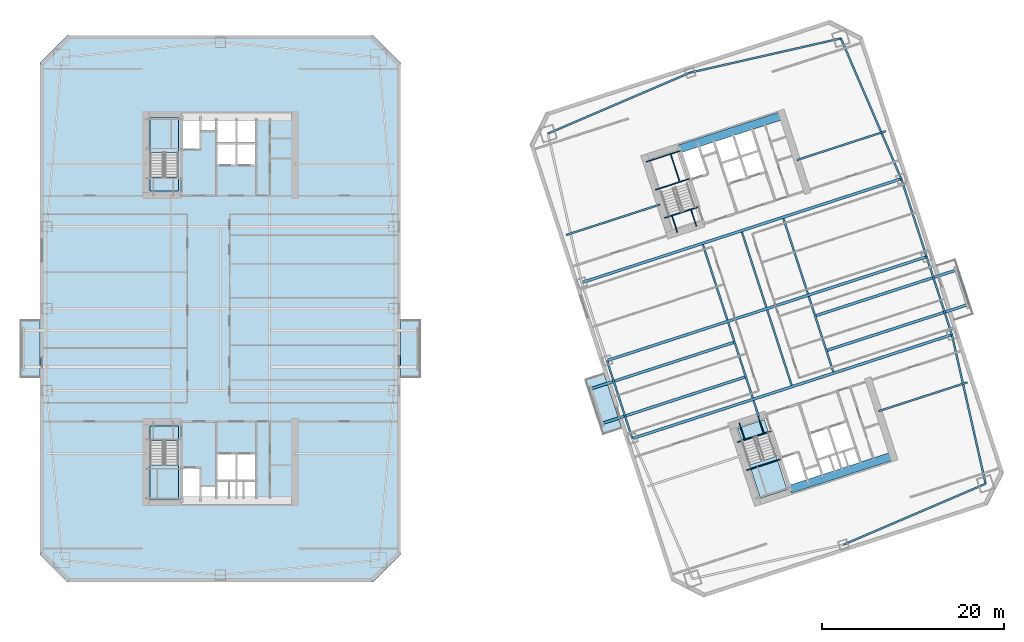
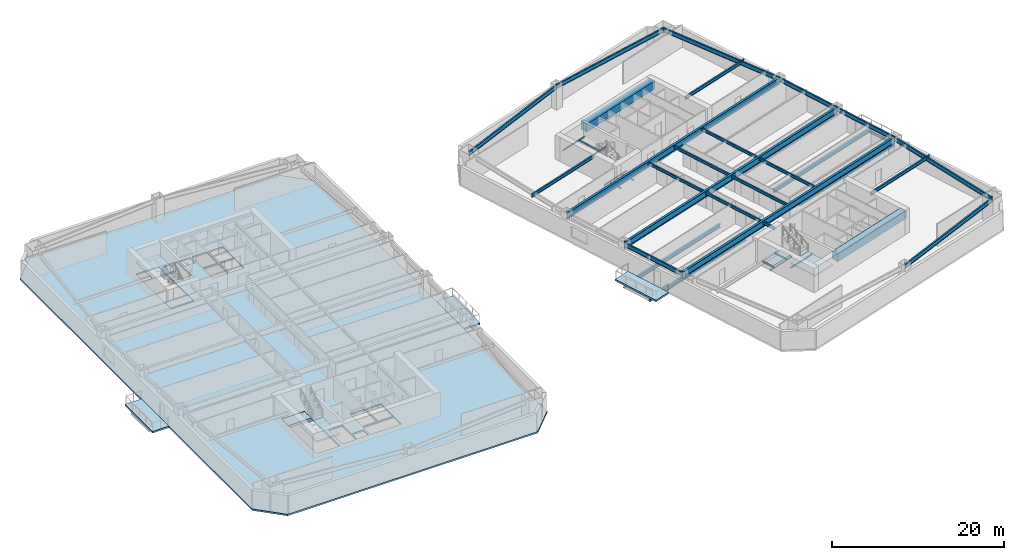
# One storey, part 2 of 15: 38 beams, 10 slabs, 3 elements without a shape of their own.
"""IFC4 building model written with IfcOpenShell, lengths in metres."""

from ifc_helpers import new_model, si_unit, direction, frame, origin, origin_2d, place, context, subcontext, project, spatial, polyline, rectangle, i_section, outline, extrude, material, layer, layer_set, material_profile, profile_set, type_object, element, aggregate, save


model = new_model("IFC4")

# Units and contexts
model_context = context("Model", 3, precision=1e-05, world=origin(), true_north=direction((0.0, 1.0)))
body_context = subcontext(model_context, "Body", "Model", "MODEL_VIEW")
ifc_project = project(units=[si_unit("LENGTHUNIT", "METRE"), si_unit("AREAUNIT", "SQUARE_METRE"), si_unit("VOLUMEUNIT", "CUBIC_METRE"), si_unit("PLANEANGLEUNIT", "RADIAN"), si_unit("MASSUNIT", "GRAM", prefix="KILO")], contexts=[model_context])

# Site, building, storey
site_placement = place(None, origin())
site = spatial("IfcSite", under=ifc_project, at=site_placement, CompositionType="ELEMENT")
building_placement = place(site_placement, origin())
building = spatial("IfcBuilding", under=site, at=building_placement, Name="Qiaolan Cultural Towers", CompositionType="ELEMENT")
storey_placement = place(building_placement, frame((0.0, 0.0, 60.949951171875)))
storey = spatial("IfcBuildingStorey", under=building, at=storey_placement, Name="L14", CompositionType="ELEMENT", Elevation=60.949951171875)

# Beams
ifc_material_1 = material(Name="Steel Q355B", Category="steel")
ifc_material_profile_1 = material_profile(ifc_material_1, i_section(OverallWidth=0.300048828125, OverallDepth=0.488037109375, WebThickness=0.010986328125, FlangeThickness=0.01806640625, at=origin_2d()), Name="HM488x300x11x18")
ifc_profile_set_1 = profile_set([ifc_material_profile_1], Name="Steel Q355B")
beam_type_1 = type_object("IfcBeamType", Name="BM-HM488x300x11x18", PredefinedType="BEAM", material=ifc_profile_set_1)
for number, where, z_axis, x_axis, name in (
    (1, (87.697998046875, 26.522705078125, -0.52392578125), (-0.951056559899, -0.309016860175, 0.0), (0.309016860175, -0.951056559899, 0.0), "L14 T2 Tree Balcony Back-Spanned Bracket Beam"),
    (2, (86.4619140625, 30.326904296875, -0.52392578125), (-0.951056559899, -0.309016860175, 0.0), (0.309016860175, -0.951056559899, 0.0), "L14 T2 Tree Balcony Back-Spanned Bracket Beam"),
):
    element("IfcBeam", number, at=place(storey_placement, frame(where, z_axis=z_axis, x_axis=x_axis)), inside=storey, type_object=beam_type_1, Name=name, PredefinedType="BEAM", context=body_context, shape_type="SweptSolid", body=[
        extrude(i_section(OverallWidth=0.300048828125, OverallDepth=0.488037109375, WebThickness=0.010986328125, FlangeThickness=0.01806640625, at=origin_2d()), origin(), (0.0, 0.0, 1.0), 16.75),
    ])
for number, where, z_axis, x_axis, name in (
    (3, (96.542724609375, 29.396484375, -0.52392578125), (0.951058714476, 0.309010228989, 0.0), (-0.309010228989, 0.951058714476, 0.0), "L14 T2 Tree Balcony Back-Spanned Bracket Beam"),
    (4, (95.306640625, 33.20068359375, -0.52392578125), (0.951054352744, 0.30902365302, 0.0), (-0.30902365302, 0.951054352744, 0.0), "L14 T2 Tree Balcony Back-Spanned Bracket Beam"),
):
    element("IfcBeam", number, at=place(storey_placement, frame(where, z_axis=z_axis, x_axis=x_axis)), inside=storey, type_object=beam_type_1, Name=name, PredefinedType="BEAM", context=body_context, shape_type="SweptSolid", body=[
        extrude(i_section(OverallWidth=0.300048828125, OverallDepth=0.488037109375, WebThickness=0.010986328125, FlangeThickness=0.01806640625, at=origin_2d()), origin(), (0.0, 0.0, 1.0), 16.4501953125),
    ])
ifc_material_2 = material(Name="Steel Q355B", Category="steel")
ifc_material_profile_2 = material_profile(ifc_material_2, i_section(OverallWidth=0.300048828125, OverallDepth=0.89990234375, WebThickness=0.01611328125, FlangeThickness=0.028076171875, at=origin_2d()), Name="HN900x300x16x28")
ifc_profile_set_2 = profile_set([ifc_material_profile_2], Name="Steel Q355B")
beam_type_2 = type_object("IfcBeamType", Name="BM-HN900x300x16x28", PredefinedType="BEAM", material=ifc_profile_set_2)
beam_1_placement = place(storey_placement, frame((75.234130859375, 19.739013671875, 2.739990234375), z_axis=(0.951055702987, 0.309019497469, 0.0), x_axis=(-0.309019497469, 0.951055702987, 0.0)))
element("IfcBeam", 5, at=beam_1_placement, inside=storey, type_object=beam_type_2, Name="L14 T2 Primary Transverse Girder V1", PredefinedType="BEAM", context=body_context, shape_type="SweptSolid", body=[
    extrude(i_section(OverallWidth=0.300048828125, OverallDepth=0.89990234375, WebThickness=0.01611328125, FlangeThickness=0.028076171875, at=origin_2d()), origin(), (0.0, 0.0, 1.0), 36.900146484375),
])
beam_2_placement = place(storey_placement, frame((72.453125, 28.298583984375, 2.739990234375), z_axis=(0.951055071173, 0.309021441968, 0.0), x_axis=(-0.309021441968, 0.951055071173, 0.0)))
element("IfcBeam", 6, at=beam_2_placement, inside=storey, type_object=beam_type_2, Name="L14 T2 Primary Transverse Girder V2", PredefinedType="BEAM", context=body_context, shape_type="SweptSolid", body=[
    extrude(i_section(OverallWidth=0.300048828125, OverallDepth=0.89990234375, WebThickness=0.01611328125, FlangeThickness=0.028076171875, at=origin_2d()), origin(), (0.0, 0.0, 1.0), 36.89990234375),
])
beam_3_placement = place(storey_placement, frame((69.671875, 36.858154296875, 2.739990234375), z_axis=(0.951055702987, 0.309019497469, 0.0), x_axis=(-0.309019497469, 0.951055702987, 0.0)))
element("IfcBeam", 7, at=beam_3_placement, inside=storey, type_object=beam_type_2, Name="L14 T2 Primary Transverse Girder V3", PredefinedType="BEAM", context=body_context, shape_type="SweptSolid", body=[
    extrude(i_section(OverallWidth=0.300048828125, OverallDepth=0.89990234375, WebThickness=0.01611328125, FlangeThickness=0.028076171875, at=origin_2d()), origin(), (0.0, 0.0, 1.0), 36.900146484375),
])
ifc_material_3 = material(Name="Steel Q355B", Category="steel")
ifc_material_profile_3 = material_profile(ifc_material_3, i_section(OverallWidth=0.175048828125, OverallDepth=0.35009765625, WebThickness=0.007080078125, FlangeThickness=0.010986328125, at=origin_2d()), Name="HN350x175x7x11")
ifc_profile_set_3 = profile_set([ifc_material_profile_3], Name="Steel Q355B")
beam_type_3 = type_object("IfcBeamType", Name="BM-JST-HN350x175x7x11", PredefinedType="JOIST", material=ifc_profile_set_3)
beam_4_placement = place(storey_placement, frame((112.187744140625, 34.479736328125, -0.52392578125), z_axis=(-0.3090046493, 0.951060527364, 0.0), x_axis=(-0.951060527364, -0.3090046493, 0.0)))
element("IfcBeam", 8, at=beam_4_placement, inside=storey, type_object=beam_type_3, Name="L14 T2 Tree Balcony Outer Edge Beam", PredefinedType="JOIST", context=body_context, shape_type="SweptSolid", body=[
    extrude(i_section(OverallWidth=0.175048828125, OverallDepth=0.35009765625, WebThickness=0.007080078125, FlangeThickness=0.010986328125, at=origin_2d()), origin(), (0.0, 0.0, 1.0), 4.000244140625),
])
ifc_material_4 = material(Name="Steel Q355B", Category="steel")
ifc_material_profile_4 = material_profile(ifc_material_4, i_section(OverallWidth=0.199951171875, OverallDepth=0.39990234375, WebThickness=0.008056640625, FlangeThickness=0.012939453125, at=origin_2d()), Name="HN400x200x8x13")
ifc_profile_set_4 = profile_set([ifc_material_profile_4], Name="Steel Q355B")
beam_type_4 = type_object("IfcBeamType", Name="BM-JST-HN400x200x8x13", PredefinedType="JOIST", material=ifc_profile_set_4)
beam_5_placement = place(storey_placement, frame((89.119384765625, 22.147705078125, 2.989990234375), z_axis=(-0.308933885266, 0.951083516067, 0.0), x_axis=(-0.951083516067, -0.308933885266, 0.0)))
element("IfcBeam", 9, at=beam_5_placement, inside=storey, type_object=beam_type_4, Name="L14 T2 Secondary Floor Joist U1-1", PredefinedType="JOIST", context=body_context, shape_type="SweptSolid", body=[
    extrude(i_section(OverallWidth=0.199951171875, OverallDepth=0.39990234375, WebThickness=0.008056640625, FlangeThickness=0.012939453125, at=origin_2d()), origin(), (0.0, 0.0, 1.0), 1.85009765625),
])
for number, where, z_axis, x_axis, name in (
    (10, (88.455078125, 24.192626953125, 2.989990234375), (-0.309020714809, 0.951055307445, 0.0), (-0.951055307445, -0.309020714809, 0.0), "L14 T2 Secondary Floor Joist U1-2"),
    (11, (85.673828125, 32.752197265625, 2.989990234375), (-0.309020714809, 0.951055307445, 0.0), (-0.951055307445, -0.309020714809, 0.0), "L14 T2 Secondary Floor Joist U1-3"),
    (12, (92.73486328125, 25.583251953125, 2.989990234375), (-0.309020714809, 0.951055307445, 0.0), (-0.951055307445, -0.309020714809, 0.0), "L14 T2 Secondary Floor Joist U2-2"),
    (13, (89.95361328125, 34.142578125, 2.989990234375), (-0.309020714809, 0.951055307445, 0.0), (-0.951055307445, -0.309020714809, 0.0), "L14 T2 Secondary Floor Joist U2-3"),
    (14, (97.2998046875, 27.06640625, 2.989990234375), (-0.309020714809, 0.951055307445, 0.0), (-0.951055307445, -0.309020714809, 0.0), "L14 T2 Secondary Floor Joist U3-2"),
    (15, (94.518798828125, 35.6259765625, 2.989990234375), (-0.309020714809, 0.951055307445, 0.0), (-0.951055307445, -0.309020714809, 0.0), "L14 T2 Secondary Floor Joist U3-3"),
):
    element("IfcBeam", number, at=place(storey_placement, frame(where, z_axis=z_axis, x_axis=x_axis)), inside=storey, type_object=beam_type_4, Name=name, PredefinedType="JOIST", context=body_context, shape_type="SweptSolid", body=[
        extrude(i_section(OverallWidth=0.199951171875, OverallDepth=0.39990234375, WebThickness=0.008056640625, FlangeThickness=0.012939453125, at=origin_2d()), origin(), (0.0, 0.0, 1.0), 8.699951171875),
    ])
ifc_material_5 = material(Name="Steel Q355B", Category="steel")
ifc_material_profile_5 = material_profile(ifc_material_5, i_section(OverallWidth=0.199951171875, OverallDepth=0.449951171875, WebThickness=0.009033203125, FlangeThickness=0.013916015625, at=origin_2d()), Name="HN450x200x9x14")
ifc_profile_set_5 = profile_set([ifc_material_profile_5], Name="Steel Q355B")
beam_type_5 = type_object("IfcBeamType", Name="BM-LNT-HN450x200x9x14", PredefinedType="LINTEL", material=ifc_profile_set_5)
beam_6_placement = place(storey_placement, frame((78.291259765625, 45.44189453125, 2.965087890625), z_axis=(-0.951052421511, -0.309029596542, 0.0), x_axis=(0.309029596542, -0.951052421511, 0.0)))
element("IfcBeam", 16, at=beam_6_placement, inside=storey, type_object=beam_type_5, Name="L14 T2 Core Flank Tie Lintel WN", PredefinedType="LINTEL", context=body_context, shape_type="SweptSolid", body=[
    extrude(i_section(OverallWidth=0.199951171875, OverallDepth=0.449951171875, WebThickness=0.009033203125, FlangeThickness=0.013916015625, at=origin_2d()), origin(), (0.0, 0.0, 1.0), 10.85009765625),
])
beam_7_placement = place(storey_placement, frame((102.279296875, 22.74365234375, 2.965087890625), z_axis=(0.951056820587, 0.309016057859, 0.0), x_axis=(-0.309016057859, 0.951056820587, 0.0)))
element("IfcBeam", 17, at=beam_7_placement, inside=storey, type_object=beam_type_5, Name="L14 T2 Core Flank Tie Lintel ES", PredefinedType="LINTEL", context=body_context, shape_type="SweptSolid", body=[
    extrude(i_section(OverallWidth=0.199951171875, OverallDepth=0.449951171875, WebThickness=0.009033203125, FlangeThickness=0.013916015625, at=origin_2d()), origin(), (0.0, 0.0, 1.0), 10.250244140625),
])
beam_8_placement = place(storey_placement, frame((93.31787109375, 50.32421875, 2.965087890625), z_axis=(0.951054546097, 0.309023057955, 0.0), x_axis=(-0.309023057955, 0.951054546097, 0.0)))
element("IfcBeam", 18, at=beam_8_placement, inside=storey, type_object=beam_type_5, Name="L14 T2 Core Flank Tie Lintel EN", PredefinedType="LINTEL", context=body_context, shape_type="SweptSolid", body=[
    extrude(i_section(OverallWidth=0.199951171875, OverallDepth=0.449951171875, WebThickness=0.009033203125, FlangeThickness=0.013916015625, at=origin_2d()), origin(), (0.0, 0.0, 1.0), 10.25),
])
ifc_material_6 = material(Name="Concrete C50", Category="concrete")
ifc_material_profile_6 = material_profile(ifc_material_6, rectangle(XDim=0.89990234375, YDim=1.10009765625, at=origin_2d()), Name="RC900x1100")
ifc_profile_set_6 = profile_set([ifc_material_profile_6], Name="Concrete C50")
beam_type_6 = type_object("IfcBeamType", Name="BM-RC900x1100", PredefinedType="BEAM", material=ifc_profile_set_6)
for number, where, z_axis, x_axis, name in (
    (19, (92.572265625, 14.174560546875, 2.64013671875), (0.951056266386, 0.309017763514, 0.0), (-0.309017763514, 0.951056266386, 0.0), "L14 T2 Core Header Girder S"),
    (20, (80.427978515625, 51.551025390625, 2.64013671875), (0.951056266386, 0.309017763514, 0.0), (-0.309017763514, 0.951056266386, 0.0), "L14 T2 Core Header Girder N"),
):
    element("IfcBeam", number, at=place(storey_placement, frame(where, z_axis=z_axis, x_axis=x_axis)), inside=storey, type_object=beam_type_6, Name=name, PredefinedType="BEAM", context=body_context, shape_type="SweptSolid", body=[
        extrude(rectangle(XDim=0.89990234375, YDim=1.10009765625, at=origin_2d()), origin(), (0.0, 0.0, 1.0), 11.880126953125),
    ])
ifc_material_7 = material(Name="Steel Q355B", Category="steel")
ifc_material_profile_7 = material_profile(ifc_material_7, i_section(OverallWidth=0.199951171875, OverallDepth=0.60009765625, WebThickness=0.010986328125, FlangeThickness=0.01708984375, at=origin_2d()), Name="HN600x200x11x17")
ifc_profile_set_7 = profile_set([ifc_material_profile_7], Name="Steel Q355B")
beam_type_7 = type_object("IfcBeamType", Name="BM-SPD-HN600x200x11x17", PredefinedType="SPANDREL", material=ifc_profile_set_7)
beam_9_placement = place(storey_placement, frame((98.420654296875, 8.083740234375, 2.89013671875), z_axis=(0.919108584923, 0.394004326272, 0.0), x_axis=(-0.394004326272, 0.919108584923, 0.0)))
element("IfcBeam", 21, at=beam_9_placement, inside=storey, type_object=beam_type_7, Name="L14 T2 Perimeter Spandrel Beam 2", PredefinedType="SPANDREL", context=body_context, shape_type="SweptSolid", body=[
    extrude(i_section(OverallWidth=0.199951171875, OverallDepth=0.60009765625, WebThickness=0.010986328125, FlangeThickness=0.01708984375, at=origin_2d()), origin(), (0.0, 0.0, 1.0), 16.97998046875),
])
beam_10_placement = place(storey_placement, frame((114.027099609375, 14.77392578125, 2.89013671875), z_axis=(-0.220430557386, 0.975402670373, 0.0), x_axis=(-0.975402670373, -0.220430557386, 0.0)))
element("IfcBeam", 22, at=beam_10_placement, inside=storey, type_object=beam_type_7, Name="L14 T2 Perimeter Spandrel Beam 3", PredefinedType="SPANDREL", context=body_context, shape_type="SweptSolid", body=[
    extrude(i_section(OverallWidth=0.199951171875, OverallDepth=0.60009765625, WebThickness=0.010986328125, FlangeThickness=0.01708984375, at=origin_2d()), origin(), (0.0, 0.0, 1.0), 16.78076171875),
])
for number, where, z_axis, x_axis, name in (
    (23, (110.328125, 31.141845703125, 2.89013671875), (-0.309024734286, 0.951054001411, 0.0), (-0.951054001411, -0.309024734286, 0.0), "L14 T2 Perimeter Spandrel Beam 4"),
    (24, (107.546875, 39.701416015625, 2.89013671875), (-0.309000197986, 0.951061973609, 0.0), (-0.951061973609, -0.309000197986, 0.0), "L14 T2 Perimeter Spandrel Beam 5"),
):
    element("IfcBeam", number, at=place(storey_placement, frame(where, z_axis=z_axis, x_axis=x_axis)), inside=storey, type_object=beam_type_7, Name=name, PredefinedType="SPANDREL", context=body_context, shape_type="SweptSolid", body=[
        extrude(i_section(OverallWidth=0.199951171875, OverallDepth=0.60009765625, WebThickness=0.010986328125, FlangeThickness=0.01708984375, at=origin_2d()), origin(), (0.0, 0.0, 1.0), 9.0),
    ])
beam_11_placement = place(storey_placement, frame((104.765869140625, 48.260986328125, 2.89013671875), z_axis=(-0.394998896054, 0.918681594524, 0.0), x_axis=(-0.918681594524, -0.394998896054, 0.0)))
element("IfcBeam", 25, at=beam_11_placement, inside=storey, type_object=beam_type_7, Name="L14 T2 Perimeter Spandrel Beam 6", PredefinedType="SPANDREL", context=body_context, shape_type="SweptSolid", body=[
    extrude(i_section(OverallWidth=0.199951171875, OverallDepth=0.60009765625, WebThickness=0.010986328125, FlangeThickness=0.01708984375, at=origin_2d()), origin(), (0.0, 0.0, 1.0), 16.78076171875),
])
for number, where, z_axis, x_axis, name in (
    (26, (98.137451171875, 63.67724609375, 2.89013671875), (-0.975161095889, -0.221496810506, 0.0), (0.221496810506, -0.975161095889, 0.0), "L14 T2 Perimeter Spandrel Beam 7"),
    (27, (81.579345703125, 59.916259765625, 2.89013671875), (-0.919108584923, -0.394004326272, 0.0), (0.394004326272, -0.919108584923, 0.0), "L14 T2 Perimeter Spandrel Beam 8"),
):
    element("IfcBeam", number, at=place(storey_placement, frame(where, z_axis=z_axis, x_axis=x_axis)), inside=storey, type_object=beam_type_7, Name=name, PredefinedType="SPANDREL", context=body_context, shape_type="SweptSolid", body=[
        extrude(i_section(OverallWidth=0.199951171875, OverallDepth=0.60009765625, WebThickness=0.010986328125, FlangeThickness=0.01708984375, at=origin_2d()), origin(), (0.0, 0.0, 1.0), 16.97998046875),
    ])
beam_12_placement = place(storey_placement, frame((72.453125, 28.298583984375, 2.89013671875), z_axis=(0.309000197986, -0.951061973609, 0.0), x_axis=(0.951061973609, 0.309000197986, 0.0)))
element("IfcBeam", 28, at=beam_12_placement, inside=storey, type_object=beam_type_7, Name="L14 T2 Perimeter Spandrel Beam 11", PredefinedType="SPANDREL", context=body_context, shape_type="SweptSolid", body=[
    extrude(i_section(OverallWidth=0.199951171875, OverallDepth=0.60009765625, WebThickness=0.010986328125, FlangeThickness=0.01708984375, at=origin_2d()), origin(), (0.0, 0.0, 1.0), 9.0),
])
ifc_material_8 = material(Name="Steel Q355B", Category="steel")
ifc_material_profile_8 = material_profile(ifc_material_8, i_section(OverallWidth=0.10009765625, OverallDepth=0.199951171875, WebThickness=0.005615234375, FlangeThickness=0.008056640625, at=origin_2d()), Name="HN200x100x5.5x8")
ifc_profile_set_8 = profile_set([ifc_material_profile_8], Name="Steel Q355B")
beam_type_8 = type_object("IfcBeamType", Name="BM-STTRIM-200", PredefinedType="BEAM", material=ifc_profile_set_8)
beam_13_placement = place(storey_placement, frame((86.770751953125, 19.3447265625, -0.4599609375), z_axis=(0.951047798727, 0.309043823005, 0.0), x_axis=(-0.309043823005, 0.951047798727, 0.0)))
element("IfcBeam", 29, at=beam_13_placement, inside=storey, type_object=beam_type_8, Name="L14 ST-E1 Floor Landing Header Beam", PredefinedType="BEAM", context=body_context, shape_type="SweptSolid", body=[
    extrude(i_section(OverallWidth=0.10009765625, OverallDepth=0.199951171875, WebThickness=0.005615234375, FlangeThickness=0.008056640625, at=origin_2d()), origin(), (0.0, 0.0, 1.0), 3.919921875),
])
for number, where, z_axis, x_axis, name in (
    (30, (86.9794921875, 21.452392578125, -0.4599609375), (0.309083226701, -0.951034993558, 0.0), (0.951034993558, 0.309083226701, 0.0), "L14 ST-E1 Floor Landing Stringer 1"),
    (31, (89.07177734375, 22.13232421875, -0.4599609375), (0.309083226701, -0.951034993558, 0.0), (0.951034993558, 0.309083226701, 0.0), "L14 ST-E1 Floor Landing Stringer 2"),
):
    element("IfcBeam", number, at=place(storey_placement, frame(where, z_axis=z_axis, x_axis=x_axis)), inside=storey, type_object=beam_type_8, Name=name, PredefinedType="BEAM", context=body_context, shape_type="SweptSolid", body=[
        extrude(i_section(OverallWidth=0.10009765625, OverallDepth=0.199951171875, WebThickness=0.005615234375, FlangeThickness=0.008056640625, at=origin_2d()), origin(), (0.0, 0.0, 1.0), 1.93994140625),
    ])
beam_14_placement = place(storey_placement, frame((87.774658203125, 16.255126953125, 1.425048828125), z_axis=(0.951047798727, 0.309043823005, 0.0), x_axis=(-0.309043823005, 0.951047798727, 0.0)))
element("IfcBeam", 32, at=beam_14_placement, inside=storey, type_object=beam_type_8, Name="L14 ST-E1 Stair Landing Support Beam 1-1", PredefinedType="BEAM", context=body_context, shape_type="SweptSolid", body=[
    extrude(i_section(OverallWidth=0.10009765625, OverallDepth=0.199951171875, WebThickness=0.005615234375, FlangeThickness=0.008056640625, at=origin_2d()), origin(), (0.0, 0.0, 1.0), 3.919921875),
])
beam_15_placement = place(storey_placement, frame((78.773193359375, 43.958251953125, -0.4599609375), z_axis=(0.951072048947, 0.3089691857, 0.0), x_axis=(-0.3089691857, 0.951072048947, 0.0)))
element("IfcBeam", 33, at=beam_15_placement, inside=storey, type_object=beam_type_8, Name="L14 ST-E2 Floor Landing Header Beam", PredefinedType="BEAM", context=body_context, shape_type="SweptSolid", body=[
    extrude(i_section(OverallWidth=0.10009765625, OverallDepth=0.199951171875, WebThickness=0.005615234375, FlangeThickness=0.008056640625, at=origin_2d()), origin(), (0.0, 0.0, 1.0), 3.920166015625),
])
for number, where, z_axis, x_axis, name in (
    (34, (80.18115234375, 42.375732421875, -0.4599609375), (-0.308969394428, 0.951071981138, 0.0), (-0.951071981138, -0.308969394428, 0.0), "L14 ST-E2 Floor Landing Stringer 1"),
    (35, (82.2734375, 43.0556640625, -0.4599609375), (-0.308969394428, 0.951071981138, 0.0), (-0.951071981138, -0.308969394428, 0.0), "L14 ST-E2 Floor Landing Stringer 2"),
):
    element("IfcBeam", number, at=place(storey_placement, frame(where, z_axis=z_axis, x_axis=x_axis)), inside=storey, type_object=beam_type_8, Name=name, PredefinedType="BEAM", context=body_context, shape_type="SweptSolid", body=[
        extrude(i_section(OverallWidth=0.10009765625, OverallDepth=0.199951171875, WebThickness=0.005615234375, FlangeThickness=0.008056640625, at=origin_2d()), origin(), (0.0, 0.0, 1.0), 1.93994140625),
    ])
for number, where, z_axis, x_axis, name in (
    (36, (77.769287109375, 47.0478515625, 1.425048828125), (0.951053746643, 0.309025518358, 0.0), (-0.309025518358, 0.951053746643, 0.0), "L14 ST-E2 Stair Landing Support Beam 1-1"),
    (37, (76.770751953125, 50.12109375, 1.425048828125), (0.951072048947, 0.3089691857, 0.0), (-0.3089691857, 0.951072048947, 0.0), "L14 ST-E2 Stair Landing Support Beam 1-2"),
):
    element("IfcBeam", number, at=place(storey_placement, frame(where, z_axis=z_axis, x_axis=x_axis)), inside=storey, type_object=beam_type_8, Name=name, PredefinedType="BEAM", context=body_context, shape_type="SweptSolid", body=[
        extrude(i_section(OverallWidth=0.10009765625, OverallDepth=0.199951171875, WebThickness=0.005615234375, FlangeThickness=0.008056640625, at=origin_2d()), origin(), (0.0, 0.0, 1.0), 3.920166015625),
    ])
beam_16_placement = place(storey_placement, frame((80.44189453125, 47.916259765625, 1.425048828125), z_axis=(-0.309033108495, 0.951051280349, 0.0), x_axis=(-0.951051280349, -0.309033108495, 0.0)))
element("IfcBeam", 38, at=beam_16_placement, inside=storey, type_object=beam_type_8, Name="L14 ST-E2 Stair Landing Trimmer 1", PredefinedType="BEAM", context=body_context, shape_type="SweptSolid", body=[
    extrude(i_section(OverallWidth=0.10009765625, OverallDepth=0.199951171875, WebThickness=0.005615234375, FlangeThickness=0.008056640625, at=origin_2d()), origin(), (0.0, 0.0, 1.0), 3.231201171875),
])

# Slabs
ifc_material_9 = material(Name="Concrete C45", Category="concrete")
ifc_layer_1 = layer(ifc_material_9, 0.239990234375)
ifc_layer_set_1 = layer_set([ifc_layer_1], Name="Concrete C45")
slab_type_1 = type_object("IfcSlabType", Name="SL-BAL-240", PredefinedType="FLOOR", material=ifc_layer_set_1)
slab_1_placement = place(storey_placement, frame((0.0, 0.0, -0.239990234375)))
element("IfcSlab", 39, at=slab_1_placement, inside=storey, type_object=slab_type_1, Name="L14 T1 Planted Tree Balcony W", PredefinedType="FLOOR", context=body_context, shape_type="SweptSolid", body=[
    extrude(outline(polyline([(8.0, 26.39990234375), (10.199951171875, 26.39990234375), (10.199951171875, 32.800048828125), (8.0, 32.800048828125), (8.0, 26.39990234375)])), origin(), (0.0, 0.0, 1.0), 0.239990234375),
])
slab_2_placement = place(storey_placement, frame((0.0, 0.0, -0.239990234375)))
element("IfcSlab", 40, at=slab_2_placement, inside=storey, type_object=slab_type_1, Name="L14 T1 Planted Tree Balcony E", PredefinedType="FLOOR", context=body_context, shape_type="SweptSolid", body=[
    extrude(outline(polyline([(49.800048828125, 26.39990234375), (52.0, 26.39990234375), (52.0, 32.800048828125), (49.800048828125, 32.800048828125), (49.800048828125, 26.39990234375)])), origin(), (0.0, 0.0, 1.0), 0.239990234375),
])
slab_3_placement = place(storey_placement, frame((0.0, 0.0, -0.239990234375)))
element("IfcSlab", 41, at=slab_3_placement, inside=storey, type_object=slab_type_1, Name="L14 T2 Planted Tree Balcony W", PredefinedType="FLOOR", context=body_context, shape_type="SweptSolid", body=[
    extrude(outline(polyline([(71.995849609375, 20.158935546875), (74.088134765625, 20.8388671875), (72.110595703125, 26.925537109375), (70.018310546875, 26.245849609375), (71.995849609375, 20.158935546875)])), origin(), (0.0, 0.0, 1.0), 0.239990234375),
])

# Stair, slab
ifc_material_10 = material(Name="Concrete C45", Category="concrete")
stair_type = type_object("IfcStairType", Name="STR-CORE-1500", PredefinedType="HALF_TURN_STAIR", material=ifc_material_10)
stair_1_placement = place(storey_placement, origin())
stair_1 = element("IfcStair", 42, at=stair_1_placement, inside=storey, type_object=stair_type, Name="L14 Smokeproof Exit Stair ST-W1", PredefinedType="HALF_TURN_STAIR")
ifc_material_11 = material(Name="Concrete C45", Category="concrete")
ifc_layer_2 = layer(ifc_material_11, 0.199951171875)
ifc_layer_set_2 = layer_set([ifc_layer_2], Name="Concrete C45")
slab_type_2 = type_object("IfcSlabType", Name="SL-STAIR-LAND", PredefinedType="LANDING", material=ifc_layer_set_2)
slab_4_placement = place(storey_placement, frame((0.0, 0.0, 1.525146484375)))
slab_4 = element("IfcSlab", 43, at=slab_4_placement, type_object=slab_type_2, Name="ST-W1 landing 1", PredefinedType="LANDING", context=body_context, shape_type="SweptSolid", body=[
    extrude(outline(polyline([(22.300048828125, 16.851318359375), (22.300048828125, 13.0), (25.3798828125, 13.0), (25.3798828125, 16.851318359375), (22.300048828125, 16.851318359375)])), origin(), (0.0, 0.0, 1.0), 0.199951171875),
])
aggregate(stair_1, [slab_4])

stair_2_placement = place(storey_placement, origin())
stair_2 = element("IfcStair", 44, at=stair_2_placement, inside=storey, type_object=stair_type, Name="L14 Smokeproof Exit Stair ST-W2", PredefinedType="HALF_TURN_STAIR")
slab_5_placement = place(storey_placement, frame((0.0, 0.0, 1.525146484375)))
slab_5 = element("IfcSlab", 45, at=slab_5_placement, type_object=slab_type_2, Name="ST-W2 landing 1", PredefinedType="LANDING", context=body_context, shape_type="SweptSolid", body=[
    extrude(outline(polyline([(25.3798828125, 51.148681640625), (25.3798828125, 55.0), (22.300048828125, 55.0), (22.300048828125, 51.148681640625), (25.3798828125, 51.148681640625)])), origin(), (0.0, 0.0, 1.0), 0.199951171875),
])
aggregate(stair_2, [slab_5])

stair_3_placement = place(storey_placement, origin())
stair_3 = element("IfcStair", 46, at=stair_3_placement, inside=storey, type_object=stair_type, Name="L14 Smokeproof Exit Stair ST-E1", PredefinedType="HALF_TURN_STAIR")
slab_6_placement = place(storey_placement, frame((0.0, 0.0, 1.525146484375)))
slab_6 = element("IfcSlab", 47, at=slab_6_placement, type_object=slab_type_2, Name="ST-E1 landing 1", PredefinedType="LANDING", context=body_context, shape_type="SweptSolid", body=[
    extrude(outline(polyline([(88.114013671875, 16.828125), (89.30419921875, 13.165283203125), (92.2333984375, 14.116943359375), (91.04345703125, 17.77978515625), (88.114013671875, 16.828125)])), origin(), (0.0, 0.0, 1.0), 0.199951171875),
])
aggregate(stair_3, [slab_6])

# Slabs
ifc_material_12 = material(Name="Concrete C40", Category="concrete")
ifc_layer_3 = layer(ifc_material_12, 0.360107421875)
ifc_layer_set_3 = layer_set([ifc_layer_3], Name="Concrete C40")
slab_type_3 = type_object("IfcSlabType", Name="SL-STFLR-360", PredefinedType="LANDING", material=ifc_layer_set_3)
slab_7_placement = place(storey_placement, frame((0.0, 0.0, -0.35986328125)))
element("IfcSlab", 48, at=slab_7_placement, inside=storey, type_object=slab_type_3, Name="L14 ST-W1 Stair Floor Landing Slab", PredefinedType="LANDING", context=body_context, shape_type="SweptSolid", body=[
    extrude(outline(polyline([(22.302001953125, 21.097900390625), (22.302001953125, 19.548583984375), (25.3779296875, 19.548583984375), (25.3779296875, 21.097900390625), (22.302001953125, 21.097900390625)])), origin(), (0.0, 0.0, 1.0), 0.35986328125),
])
slab_8_placement = place(storey_placement, frame((0.0, 0.0, -0.35986328125)))
element("IfcSlab", 49, at=slab_8_placement, inside=storey, type_object=slab_type_3, Name="L14 ST-W2 Stair Floor Landing Slab", PredefinedType="LANDING", context=body_context, shape_type="SweptSolid", body=[
    extrude(outline(polyline([(25.3779296875, 46.902099609375), (25.3779296875, 48.451416015625), (22.302001953125, 48.451416015625), (22.302001953125, 46.902099609375), (25.3779296875, 46.902099609375)])), origin(), (0.0, 0.0, 1.0), 0.35986328125),
])
slab_9_placement = place(storey_placement, frame((0.0, 0.0, -0.35986328125)))
element("IfcSlab", 50, at=slab_9_placement, inside=storey, type_object=slab_type_3, Name="L14 ST-E1 Stair Floor Landing Slab", PredefinedType="LANDING", context=body_context, shape_type="SweptSolid", body=[
    extrude(outline(polyline([(86.8037109375, 20.867431640625), (87.282470703125, 19.39404296875), (90.2080078125, 20.3447265625), (89.729248046875, 21.818115234375), (86.8037109375, 20.867431640625)])), origin(), (0.0, 0.0, 1.0), 0.35986328125),
])
ifc_material_13 = material(Name="Concrete C45", Category="concrete")
ifc_layer_4 = layer(ifc_material_13, 0.219970703125)
ifc_layer_set_4 = layer_set([ifc_layer_4], Name="Concrete C45")
slab_type_4 = type_object("IfcSlabType", Name="SL-TYP-220", PredefinedType="FLOOR", material=ifc_layer_set_4)
slab_10_placement = place(storey_placement, frame((0.0, 0.0, -0.219970703125)))
element("IfcSlab", 51, at=slab_10_placement, inside=storey, type_object=slab_type_4, Name="L14 West Tower Floor Slab", PredefinedType="FLOOR", context=body_context, shape_type="SweptSolid", body=[
    extrude(outline(polyline([(13.199951171875, 4.0), (46.800048828125, 4.0), (49.800048828125, 7.0), (49.800048828125, 61.0), (46.800048828125, 64.0), (13.199951171875, 64.0), (10.199951171875, 61.0), (10.199951171875, 7.0), (13.199951171875, 4.0)]), holes=[polyline([(22.300048828125, 21.10009765625), (22.300048828125, 13.0), (25.3798828125, 13.0), (25.3798828125, 21.10009765625), (22.300048828125, 21.10009765625)]), polyline([(25.3798828125, 46.89990234375), (25.3798828125, 55.0), (22.300048828125, 55.0), (22.300048828125, 46.89990234375), (25.3798828125, 46.89990234375)]), polyline([(25.89990234375, 13.199951171875), (27.75, 13.199951171875), (27.75, 16.449951171875), (25.89990234375, 16.449951171875), (25.89990234375, 13.199951171875)]), polyline([(27.93994140625, 13.25), (29.449951171875, 13.25), (29.449951171875, 14.419921875), (27.93994140625, 14.419921875), (27.93994140625, 13.25)]), polyline([(29.679931640625, 15.199951171875), (31.679931640625, 15.199951171875), (31.679931640625, 18.0), (29.679931640625, 18.0), (29.679931640625, 15.199951171875)]), polyline([(31.8798828125, 15.199951171875), (33.820068359375, 15.199951171875), (33.820068359375, 18.0), (31.8798828125, 18.0), (31.8798828125, 15.199951171875)]), polyline([(29.679931640625, 13.25), (33.820068359375, 13.25), (33.820068359375, 14.97998046875), (29.679931640625, 14.97998046875), (29.679931640625, 13.25)]), polyline([(25.89990234375, 51.550048828125), (27.75, 51.550048828125), (27.75, 54.800048828125), (25.89990234375, 54.800048828125), (25.89990234375, 51.550048828125)]), polyline([(27.93994140625, 53.580078125), (29.449951171875, 53.580078125), (29.449951171875, 54.75), (27.93994140625, 54.75), (27.93994140625, 53.580078125)]), polyline([(29.679931640625, 49.820068359375), (31.679931640625, 49.820068359375), (31.679931640625, 52.080078125), (29.679931640625, 52.080078125), (29.679931640625, 49.820068359375)]), polyline([(31.8798828125, 49.820068359375), (33.820068359375, 49.820068359375), (33.820068359375, 52.080078125), (31.8798828125, 52.080078125), (31.8798828125, 49.820068359375)]), polyline([(29.679931640625, 52.27001953125), (31.659912109375, 52.27001953125), (31.659912109375, 54.75), (29.679931640625, 54.75), (29.679931640625, 52.27001953125)]), polyline([(31.8798828125, 52.27001953125), (33.820068359375, 52.27001953125), (33.820068359375, 54.75), (31.8798828125, 54.75), (31.8798828125, 52.27001953125)])]), origin(), (0.0, 0.0, 1.0), 0.219970703125),
])

save(model, "model.ifc")
